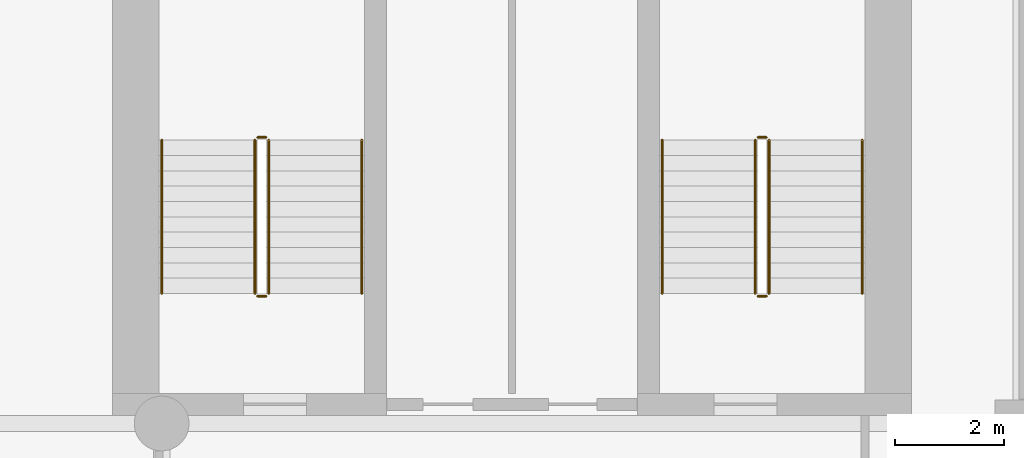
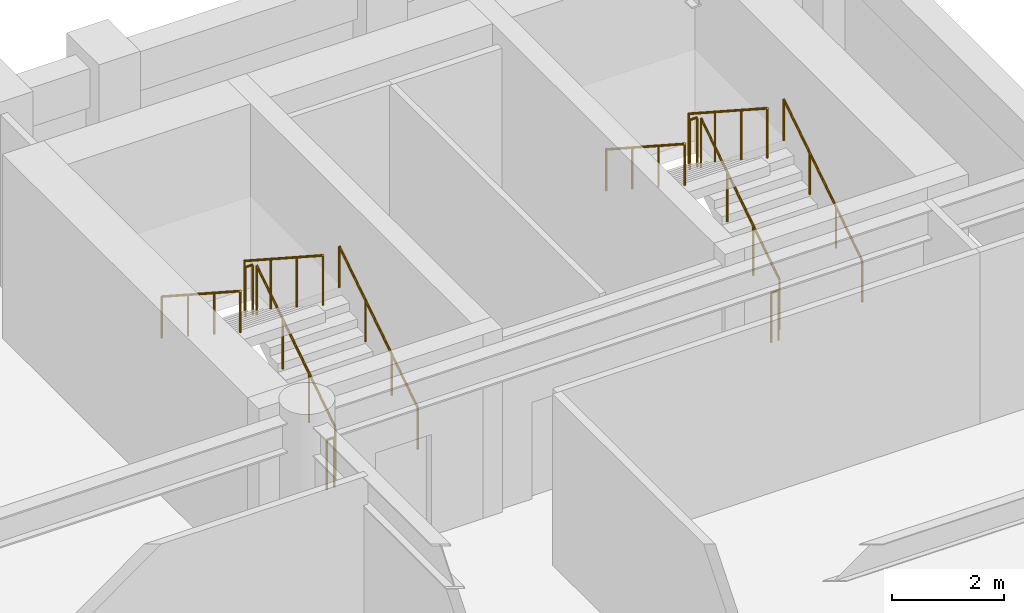
# One storey, part 8 of 8: 12 railings.
"""IFC4 building model written with IfcOpenShell, lengths in metres."""

from ifc_helpers import new_model, si_unit, direction, frame, origin, origin_2d, place, context, subcontext, project, spatial, circle, extrude, material, type_object, element, save


model = new_model("IFC4")

# Units and contexts
model_context = context("Model", 3, precision=1e-05, world=origin(), true_north=direction((0.0, 1.0)))
body_context = subcontext(model_context, "Body", "Model", "MODEL_VIEW")
ifc_project = project(units=[si_unit("LENGTHUNIT", "METRE"), si_unit("AREAUNIT", "SQUARE_METRE"), si_unit("VOLUMEUNIT", "CUBIC_METRE"), si_unit("PLANEANGLEUNIT", "RADIAN"), si_unit("MASSUNIT", "GRAM", prefix="KILO")], contexts=[model_context])

# Site, building, storey
site_placement = place(None, origin())
site = spatial("IfcSite", under=ifc_project, at=site_placement, CompositionType="ELEMENT")
building_placement = place(site_placement, origin())
building = spatial("IfcBuilding", under=site, at=building_placement, Name="Sulina Concourse Tower", CompositionType="ELEMENT")
storey_placement = place(building_placement, frame((0.0, 0.0, 140.60009765625)))
storey = spatial("IfcBuildingStorey", under=building, at=storey_placement, Name="L34", CompositionType="ELEMENT", Elevation=140.60009765625)

# Railings
ifc_material_1 = material(Name="Galvanised steel railing", Category="steel")
railing_type_1 = type_object("IfcRailingType", Name="Core Stair Steel Guardrail 1150mm", PredefinedType="GUARDRAIL", material=ifc_material_1)
railing_1_placement = place(storey_placement, frame((43.554931640625, 36.375, 0.181640625)))
element("IfcRailing", 1, at=railing_1_placement, inside=storey, type_object=railing_type_1, Name="L34 ST-3 stair guard 1", PredefinedType="GUARDRAIL", context=body_context, shape_type="SweptSolid", body=[
    extrude(circle(Radius=0.02392578125, at=origin_2d()), frame((0.0, 0.0, 1.076171875), z_axis=(0.0, 0.838672427954, 0.544636170843), x_axis=(-1.0, 0.0, 0.0)), (0.0, 0.0, 1.0), 3.338623046875),
    extrude(circle(Radius=0.02099609375, at=origin_2d()), origin(), (0.0, 0.0, 1.0), 1.052001953125),
    extrude(circle(Radius=0.02099609375, at=origin_2d()), frame((0.0, 0.933349609375, 0.606201171875)), (0.0, 0.0, 1.0), 1.052001953125),
    extrude(circle(Radius=0.02099609375, at=origin_2d()), frame((0.0, 1.86669921875, 1.212158203125)), (0.0, 0.0, 1.0), 1.052001953125),
    extrude(circle(Radius=0.02099609375, at=origin_2d()), frame((0.0, 2.800048828125, 1.818359375)), (0.0, 0.0, 1.0), 1.052001953125),
])
railing_2_placement = place(storey_placement, frame((43.5048828125, 39.22509765625, 2.0)))
element("IfcRailing", 2, at=railing_2_placement, inside=storey, type_object=railing_type_1, Name="L34 ST-3 stair guard 2", PredefinedType="GUARDRAIL", context=body_context, shape_type="SweptSolid", body=[
    extrude(circle(Radius=0.02392578125, at=origin_2d()), frame((0.0, 0.0, 1.076171875), z_axis=(-1.0, 0.0, 0.0), x_axis=(0.0, -1.0, 0.0)), (0.0, 0.0, 1.0), 0.14990234375),
    extrude(circle(Radius=0.02099609375, at=origin_2d()), origin(), (0.0, 0.0, 1.0), 1.052001953125),
    extrude(circle(Radius=0.02099609375, at=origin_2d()), frame((-0.14990234375, 0.0, 0.0)), (0.0, 0.0, 1.0), 1.052001953125),
])
railing_3_placement = place(storey_placement, frame((43.304931640625, 39.175048828125, 2.181640625)))
element("IfcRailing", 3, at=railing_3_placement, inside=storey, type_object=railing_type_1, Name="L34 ST-3 stair guard 3", PredefinedType="GUARDRAIL", context=body_context, shape_type="SweptSolid", body=[
    extrude(circle(Radius=0.02392578125, at=origin_2d()), frame((0.0, 0.0, 1.076171875), z_axis=(0.0, -0.838672427954, 0.544636170843), x_axis=(1.0, 0.0, 0.0)), (0.0, 0.0, 1.0), 3.338623046875),
    extrude(circle(Radius=0.02099609375, at=origin_2d()), origin(), (0.0, 0.0, 1.0), 1.052001953125),
    extrude(circle(Radius=0.02099609375, at=origin_2d()), frame((0.0, -0.933349609375, 0.606201171875)), (0.0, 0.0, 1.0), 1.052001953125),
    extrude(circle(Radius=0.02099609375, at=origin_2d()), frame((0.0, -1.86669921875, 1.212158203125)), (0.0, 0.0, 1.0), 1.052001953125),
    extrude(circle(Radius=0.02099609375, at=origin_2d()), frame((0.0, -2.800048828125, 1.818359375)), (0.0, 0.0, 1.0), 1.052001953125),
])
railing_4_placement = place(storey_placement, frame((43.5048828125, 36.324951171875, 0.0)))
element("IfcRailing", 4, at=railing_4_placement, inside=storey, type_object=railing_type_1, Name="L34 ST-3 stair guard 4", PredefinedType="GUARDRAIL", context=body_context, shape_type="SweptSolid", body=[
    extrude(circle(Radius=0.02392578125, at=origin_2d()), frame((0.0, 0.0, 1.076171875), z_axis=(-1.0, 0.0, 0.0), x_axis=(0.0, -1.0, 0.0)), (0.0, 0.0, 1.0), 0.14990234375),
    extrude(circle(Radius=0.02099609375, at=origin_2d()), origin(), (0.0, 0.0, 1.0), 1.052001953125),
    extrude(circle(Radius=0.02099609375, at=origin_2d()), frame((-0.14990234375, 0.0, 0.0)), (0.0, 0.0, 1.0), 1.052001953125),
])
railing_5_placement = place(storey_placement, frame((52.695068359375, 36.375, 0.181640625)))
element("IfcRailing", 5, at=railing_5_placement, inside=storey, type_object=railing_type_1, Name="L34 ST-4 stair guard 1", PredefinedType="GUARDRAIL", context=body_context, shape_type="SweptSolid", body=[
    extrude(circle(Radius=0.02392578125, at=origin_2d()), frame((0.0, 0.0, 1.076171875), z_axis=(0.0, 0.838672427954, 0.544636170843), x_axis=(-1.0, 0.0, 0.0)), (0.0, 0.0, 1.0), 3.338623046875),
    extrude(circle(Radius=0.02099609375, at=origin_2d()), origin(), (0.0, 0.0, 1.0), 1.052001953125),
    extrude(circle(Radius=0.02099609375, at=origin_2d()), frame((0.0, 0.933349609375, 0.606201171875)), (0.0, 0.0, 1.0), 1.052001953125),
    extrude(circle(Radius=0.02099609375, at=origin_2d()), frame((0.0, 1.86669921875, 1.212158203125)), (0.0, 0.0, 1.0), 1.052001953125),
    extrude(circle(Radius=0.02099609375, at=origin_2d()), frame((0.0, 2.800048828125, 1.818359375)), (0.0, 0.0, 1.0), 1.052001953125),
])
railing_6_placement = place(storey_placement, frame((52.64501953125, 39.22509765625, 2.0)))
element("IfcRailing", 6, at=railing_6_placement, inside=storey, type_object=railing_type_1, Name="L34 ST-4 stair guard 2", PredefinedType="GUARDRAIL", context=body_context, shape_type="SweptSolid", body=[
    extrude(circle(Radius=0.02392578125, at=origin_2d()), frame((0.0, 0.0, 1.076171875), z_axis=(-1.0, 0.0, 0.0), x_axis=(0.0, -1.0, 0.0)), (0.0, 0.0, 1.0), 0.14990234375),
    extrude(circle(Radius=0.02099609375, at=origin_2d()), origin(), (0.0, 0.0, 1.0), 1.052001953125),
    extrude(circle(Radius=0.02099609375, at=origin_2d()), frame((-0.14990234375, 0.0, 0.0)), (0.0, 0.0, 1.0), 1.052001953125),
])
railing_7_placement = place(storey_placement, frame((52.445068359375, 39.175048828125, 2.181640625)))
element("IfcRailing", 7, at=railing_7_placement, inside=storey, type_object=railing_type_1, Name="L34 ST-4 stair guard 3", PredefinedType="GUARDRAIL", context=body_context, shape_type="SweptSolid", body=[
    extrude(circle(Radius=0.02392578125, at=origin_2d()), frame((0.0, 0.0, 1.076171875), z_axis=(0.0, -0.838672427954, 0.544636170843), x_axis=(1.0, 0.0, 0.0)), (0.0, 0.0, 1.0), 3.338623046875),
    extrude(circle(Radius=0.02099609375, at=origin_2d()), origin(), (0.0, 0.0, 1.0), 1.052001953125),
    extrude(circle(Radius=0.02099609375, at=origin_2d()), frame((0.0, -0.933349609375, 0.606201171875)), (0.0, 0.0, 1.0), 1.052001953125),
    extrude(circle(Radius=0.02099609375, at=origin_2d()), frame((0.0, -1.86669921875, 1.212158203125)), (0.0, 0.0, 1.0), 1.052001953125),
    extrude(circle(Radius=0.02099609375, at=origin_2d()), frame((0.0, -2.800048828125, 1.818359375)), (0.0, 0.0, 1.0), 1.052001953125),
])
railing_8_placement = place(storey_placement, frame((52.64501953125, 36.324951171875, 0.0)))
element("IfcRailing", 8, at=railing_8_placement, inside=storey, type_object=railing_type_1, Name="L34 ST-4 stair guard 4", PredefinedType="GUARDRAIL", context=body_context, shape_type="SweptSolid", body=[
    extrude(circle(Radius=0.02392578125, at=origin_2d()), frame((0.0, 0.0, 1.076171875), z_axis=(-1.0, 0.0, 0.0), x_axis=(0.0, -1.0, 0.0)), (0.0, 0.0, 1.0), 0.14990234375),
    extrude(circle(Radius=0.02099609375, at=origin_2d()), origin(), (0.0, 0.0, 1.0), 1.052001953125),
    extrude(circle(Radius=0.02099609375, at=origin_2d()), frame((-0.14990234375, 0.0, 0.0)), (0.0, 0.0, 1.0), 1.052001953125),
])
ifc_material_2 = material(Name="Galvanised steel railing", Category="steel")
railing_type_2 = type_object("IfcRailingType", Name="Stair Wall Steel Handrail 920mm", PredefinedType="HANDRAIL", material=ifc_material_2)
railing_9_placement = place(storey_placement, frame((45.2548828125, 36.375, 0.181640625)))
element("IfcRailing", 9, at=railing_9_placement, inside=storey, type_object=railing_type_2, Name="L34 ST-3 stair handrail 1", PredefinedType="HANDRAIL", context=body_context, shape_type="SweptSolid", body=[
    extrude(circle(Radius=0.02392578125, at=origin_2d()), frame((0.0, 0.0, 0.89599609375), z_axis=(0.0, 0.838672427954, 0.544636170843), x_axis=(-1.0, 0.0, 0.0)), (0.0, 0.0, 1.0), 3.338623046875),
    extrude(circle(Radius=0.02099609375, at=origin_2d()), origin(), (0.0, 0.0, 1.0), 0.871826171875),
    extrude(circle(Radius=0.02099609375, at=origin_2d()), frame((0.0, 0.933349609375, 0.606201171875)), (0.0, 0.0, 1.0), 0.871826171875),
    extrude(circle(Radius=0.02099609375, at=origin_2d()), frame((0.0, 1.86669921875, 1.212158203125)), (0.0, 0.0, 1.0), 0.871826171875),
    extrude(circle(Radius=0.02099609375, at=origin_2d()), frame((0.0, 2.800048828125, 1.818359375)), (0.0, 0.0, 1.0), 0.871826171875),
])
railing_10_placement = place(storey_placement, frame((41.60498046875, 39.175048828125, 2.181640625)))
element("IfcRailing", 10, at=railing_10_placement, inside=storey, type_object=railing_type_2, Name="L34 ST-3 stair handrail 2", PredefinedType="HANDRAIL", context=body_context, shape_type="SweptSolid", body=[
    extrude(circle(Radius=0.02392578125, at=origin_2d()), frame((0.0, 0.0, 0.89599609375), z_axis=(0.0, -0.838672427954, 0.544636170843), x_axis=(1.0, 0.0, 0.0)), (0.0, 0.0, 1.0), 3.338623046875),
    extrude(circle(Radius=0.02099609375, at=origin_2d()), origin(), (0.0, 0.0, 1.0), 0.871826171875),
    extrude(circle(Radius=0.02099609375, at=origin_2d()), frame((0.0, -0.933349609375, 0.606201171875)), (0.0, 0.0, 1.0), 0.871826171875),
    extrude(circle(Radius=0.02099609375, at=origin_2d()), frame((0.0, -1.86669921875, 1.212158203125)), (0.0, 0.0, 1.0), 0.871826171875),
    extrude(circle(Radius=0.02099609375, at=origin_2d()), frame((0.0, -2.800048828125, 1.818359375)), (0.0, 0.0, 1.0), 0.871826171875),
])
railing_11_placement = place(storey_placement, frame((54.39501953125, 36.375, 0.181640625)))
element("IfcRailing", 11, at=railing_11_placement, inside=storey, type_object=railing_type_2, Name="L34 ST-4 stair handrail 1", PredefinedType="HANDRAIL", context=body_context, shape_type="SweptSolid", body=[
    extrude(circle(Radius=0.02392578125, at=origin_2d()), frame((0.0, 0.0, 0.89599609375), z_axis=(0.0, 0.838672427954, 0.544636170843), x_axis=(-1.0, 0.0, 0.0)), (0.0, 0.0, 1.0), 3.338623046875),
    extrude(circle(Radius=0.02099609375, at=origin_2d()), origin(), (0.0, 0.0, 1.0), 0.871826171875),
    extrude(circle(Radius=0.02099609375, at=origin_2d()), frame((0.0, 0.933349609375, 0.606201171875)), (0.0, 0.0, 1.0), 0.871826171875),
    extrude(circle(Radius=0.02099609375, at=origin_2d()), frame((0.0, 1.86669921875, 1.212158203125)), (0.0, 0.0, 1.0), 0.871826171875),
    extrude(circle(Radius=0.02099609375, at=origin_2d()), frame((0.0, 2.800048828125, 1.818359375)), (0.0, 0.0, 1.0), 0.871826171875),
])
railing_12_placement = place(storey_placement, frame((50.7451171875, 39.175048828125, 2.181640625)))
element("IfcRailing", 12, at=railing_12_placement, inside=storey, type_object=railing_type_2, Name="L34 ST-4 stair handrail 2", PredefinedType="HANDRAIL", context=body_context, shape_type="SweptSolid", body=[
    extrude(circle(Radius=0.02392578125, at=origin_2d()), frame((0.0, 0.0, 0.89599609375), z_axis=(0.0, -0.838672427954, 0.544636170843), x_axis=(1.0, 0.0, 0.0)), (0.0, 0.0, 1.0), 3.338623046875),
    extrude(circle(Radius=0.02099609375, at=origin_2d()), origin(), (0.0, 0.0, 1.0), 0.871826171875),
    extrude(circle(Radius=0.02099609375, at=origin_2d()), frame((0.0, -0.933349609375, 0.606201171875)), (0.0, 0.0, 1.0), 0.871826171875),
    extrude(circle(Radius=0.02099609375, at=origin_2d()), frame((0.0, -1.86669921875, 1.212158203125)), (0.0, 0.0, 1.0), 0.871826171875),
    extrude(circle(Radius=0.02099609375, at=origin_2d()), frame((0.0, -2.800048828125, 1.818359375)), (0.0, 0.0, 1.0), 0.871826171875),
])

save(model, "model.ifc")
